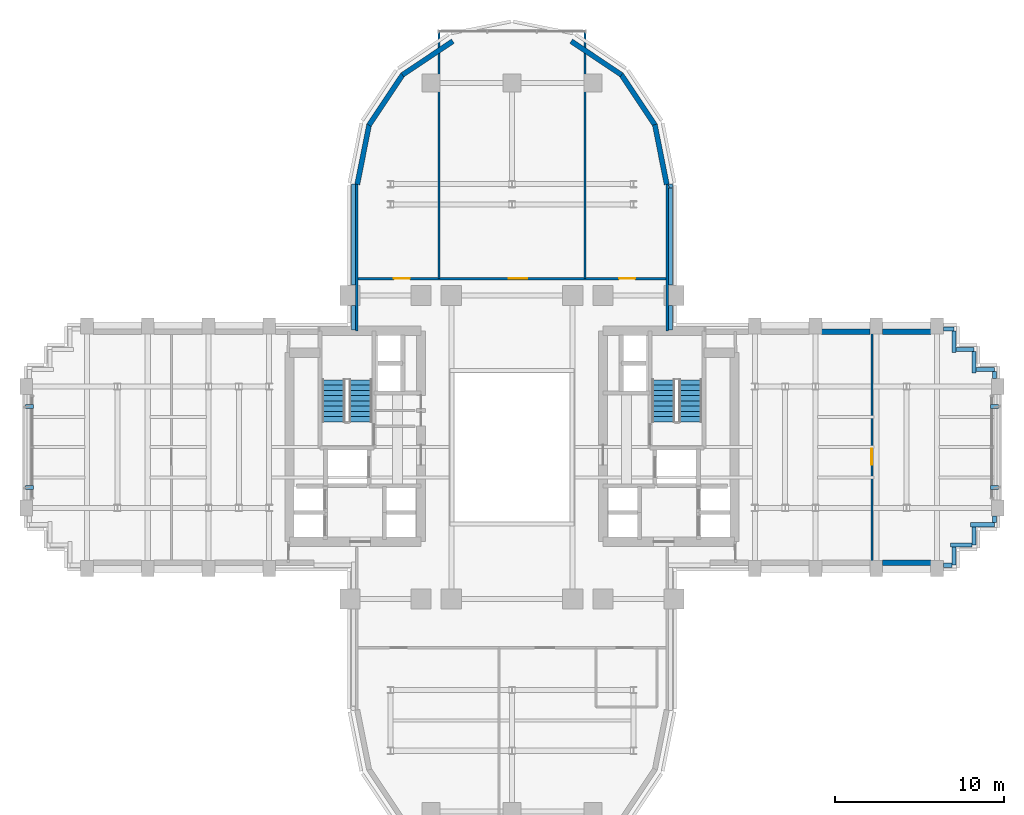
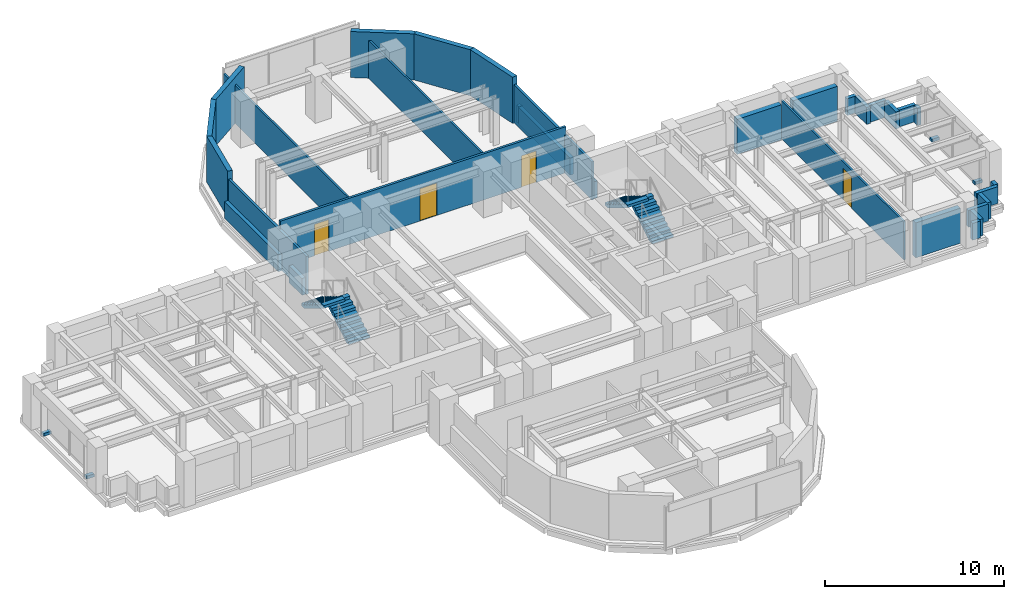
# One storey, part 12 of 16: 32 walls, 4 discrete accessories, 4 doors, 4 stair flights, 4 openings, 2 elements without a shape of their own.
"""IFC4 building model written with IfcOpenShell, lengths in metres."""

from ifc_helpers import new_model, si_unit, direction, frame, frame_2d, origin, origin_2d, place, context, subcontext, project, spatial, polyline, rectangle, outline, extrude, source, transform, mapped, material, layer, layer_set, type_object, element, fill, aggregate, save


model = new_model("IFC4")

# Units and contexts
model_context = context("Model", 3, precision=1e-05, world=origin(), true_north=direction((0.0, 1.0)))
body_context = subcontext(model_context, "Body", "Model", "MODEL_VIEW")
ifc_project = project(units=[si_unit("LENGTHUNIT", "METRE"), si_unit("AREAUNIT", "SQUARE_METRE"), si_unit("VOLUMEUNIT", "CUBIC_METRE"), si_unit("PLANEANGLEUNIT", "RADIAN"), si_unit("MASSUNIT", "GRAM", prefix="KILO")], contexts=[model_context])

# Site, building, storey
site_placement = place(None, origin())
site = spatial("IfcSite", under=ifc_project, at=site_placement, CompositionType="ELEMENT")
building_placement = place(site_placement, origin())
building = spatial("IfcBuilding", under=site, at=building_placement, Name="Keilestroom Media Tower", CompositionType="ELEMENT")
storey_placement = place(building_placement, frame((0.0, 0.0, 85.0)))
storey = spatial("IfcBuildingStorey", under=building, at=storey_placement, Name="L22", CompositionType="ELEMENT", Elevation=85.0)

# Walls
ifc_material_1 = material(Name="Precast concrete C40/50", Category="concrete")
ifc_layer_1 = layer(ifc_material_1, 0.300048828125)
ifc_layer_set_1 = layer_set([ifc_layer_1], Name="Precast concrete C40/50")
wall_type_1 = type_object("IfcWallType", Name="Exterior-Masonry-Spandrel-Wall-300", PredefinedType="SOLIDWALL", material=ifc_layer_set_1)
for number, where, z_axis, x_axis, name in (
    (1, (9.1748046875, 15.585205078125, 0.0), (0.0, 0.0, 1.0), (-0.195114232679, 0.980780523974, 0.0), "L22 Lobe Facet Precast Frame Wall 01"),
    (2, (8.48193359375, 19.097412109375, 0.0), (0.0, 0.0, 1.0), (-0.555574187116, 0.831466970246, 0.0), "L22 Lobe Facet Precast Frame Wall 02"),
):
    element("IfcWall", number, at=place(storey_placement, frame(where, z_axis=z_axis, x_axis=x_axis)), inside=storey, type_object=wall_type_1, Name=name, PredefinedType="SOLIDWALL", context=body_context, shape_type="SweptSolid", body=[
        extrude(rectangle(XDim=3.608642578125, YDim=0.300048828125, at=frame_2d((1.80419921875, 0.0))), origin(), (0.0, 0.0, 1.0), 3.139892578125),
    ])
for number, where, z_axis, x_axis, name in (
    (3, (6.497802734375, 22.0771484375, 0.0), (0.0, 0.0, 1.0), (-0.8314749531, 0.555562239868, 0.0), "L22 Lobe Facet Precast Frame Wall 03"),
    (4, (-3.510009765625, 24.073486328125, 0.0), (0.0, 0.0, 1.0), (-0.8314749531, -0.555562239868, 0.0), "L22 Lobe Facet Precast Frame Wall 04"),
):
    element("IfcWall", number, at=place(storey_placement, frame(where, z_axis=z_axis, x_axis=x_axis)), inside=storey, type_object=wall_type_1, Name=name, PredefinedType="SOLIDWALL", context=body_context, shape_type="SweptSolid", body=[
        extrude(rectangle(XDim=3.59326171875, YDim=0.300048828125, at=frame_2d((1.796630859375, 0.0))), origin(), (0.0, 0.0, 1.0), 3.139892578125),
    ])
for number, where, z_axis, x_axis, name in (
    (5, (-6.47705078125, 22.097900390625, 0.0), (0.0, 0.0, 1.0), (-0.555574187116, -0.831466970246, 0.0), "L22 Lobe Facet Precast Frame Wall 05"),
    (6, (-8.470703125, 19.12451171875, 0.0), (0.0, 0.0, 1.0), (-0.195114232679, -0.980780523974, 0.0), "L22 Lobe Facet Precast Frame Wall 06"),
):
    element("IfcWall", number, at=place(storey_placement, frame(where, z_axis=z_axis, x_axis=x_axis)), inside=storey, type_object=wall_type_1, Name=name, PredefinedType="SOLIDWALL", context=body_context, shape_type="SweptSolid", body=[
        extrude(rectangle(XDim=3.608642578125, YDim=0.300048828125, at=frame_2d((1.80419921875, 0.0))), origin(), (0.0, 0.0, 1.0), 3.139892578125),
    ])
ifc_layer_2 = layer(ifc_material_1, 0.340087890625)
ifc_layer_set_2 = layer_set([ifc_layer_2], Name="Precast concrete C40/50")
wall_type_2 = type_object("IfcWallType", Name="Exterior-Masonry-Spandrel-Wall-340", PredefinedType="SOLIDWALL", material=ifc_layer_set_2)
for number, where, z_axis, x_axis, name in (
    (7, (18.366943359375, 6.85009765625, 0.0), (0.0, 0.0, 1.0), (1.0, 0.0, 0.0), "L22 Flank Masonry Wall EWL-L22-NE-3"),
    (8, (21.967041015625, 6.85009765625, 0.0), (0.0, 0.0, 1.0), (1.0, 0.0, 0.0), "L22 Flank Masonry Wall EWL-L22-NE-4"),
    (9, (21.967041015625, -6.85009765625, 0.0), (0.0, 0.0, 1.0), (1.0, 0.0, 0.0), "L22 Flank Masonry Wall EWL-L22-SE-4"),
):
    element("IfcWall", number, at=place(storey_placement, frame(where, z_axis=z_axis, x_axis=x_axis)), inside=storey, type_object=wall_type_2, Name=name, PredefinedType="SOLIDWALL", context=body_context, shape_type="SweptSolid", body=[
        extrude(rectangle(XDim=2.865966796875, YDim=0.340087890625, at=frame_2d((1.43310546875, 0.0))), origin(), (0.0, 0.0, 1.0), 2.389892578125),
    ])
ifc_material_2 = material(Name="Gypsum Plasterboard & Steel Stud", Category="steel")
ifc_layer_3 = layer(ifc_material_2, 0.1201171875)
ifc_layer_set_3 = layer_set([ifc_layer_3], Name="Gypsum Plasterboard & Steel Stud")
wall_type_3 = type_object("IfcWallType", Name="Interior-Partition-Wall-120", PredefinedType="PARTITIONING", material=ifc_layer_set_3)
for number, where, z_axis, x_axis, name in (
    (10, (-4.320068359375, 10.0, 0.0), (0.0, 0.0, 1.0), (0.0, 1.0, 0.0), "L22 Interior Wall WP-L22-NL-VW"),
    (11, (4.320068359375, 10.0, 0.0), (0.0, 0.0, 1.0), (0.0, 1.0, 0.0), "L22 Interior Wall WP-L22-NL-VE"),
):
    element("IfcWall", number, at=place(storey_placement, frame(where, z_axis=z_axis, x_axis=x_axis)), inside=storey, type_object=wall_type_3, Name=name, PredefinedType="PARTITIONING", context=body_context, shape_type="SweptSolid", body=[
        extrude(rectangle(XDim=14.64990234375, YDim=0.1201171875, at=frame_2d((7.324951171875, 0.0))), origin(), (0.0, 0.0, 1.0), 2.590087890625),
    ])

# Wall, opening, door
wall_1_placement = place(storey_placement, frame((21.340087890625, -6.85009765625, 0.0), z_axis=(0.0, 0.0, 1.0), x_axis=(0.0, 1.0, 0.0)))
wall_1 = element("IfcWall", 12, at=wall_1_placement, inside=storey, type_object=wall_type_3, Name="L22 Interior Wall WP-L22-EA-V", PredefinedType="PARTITIONING", context=body_context, shape_type="SweptSolid", body=[
    extrude(rectangle(XDim=13.7001953125, YDim=0.1201171875, at=frame_2d((6.85009765625, 0.0))), origin(), (0.0, 0.0, 1.0), 2.590087890625),
])
opening_1_placement = place(wall_1_placement, frame((5.800048828125, 0.0, 0.0)))
opening_1 = element("IfcOpeningElement", 13, at=opening_1_placement, cuts=wall_1, Name="Opening DI-03", PredefinedType="OPENING", context=body_context, shape_type="SweptSolid", body=[
    extrude(rectangle(XDim=0.949951171875, YDim=2.14990234375, at=frame_2d((0.47509765625, 1.074951171875))), frame((0.0, 0.070068359375, 0.0), z_axis=(0.0, -1.0, 0.0), x_axis=(1.0, 0.0, 0.0)), (0.0, 0.0, 1.0), 0.14013671875),
])
ifc_material_3 = material(Name="Lacquered European Oak Leaf", Category="wood")
door_type_1 = type_object("IfcDoorType", Name="Interior-Room-And-Suite-Door-DI-03", OperationType="NOTDEFINED", PredefinedType="DOOR", material=ifc_material_3)
shared_shape_1 = source(origin(), body_context, "Body", "SweptSolid", [
    extrude(rectangle(XDim=0.949951171875, YDim=2.14990234375, at=frame_2d((0.47509765625, 1.074951171875))), frame((0.0, 0.02490234375, 0.0), z_axis=(0.0, -1.0, 0.0), x_axis=(1.0, 0.0, 0.0)), (0.0, 0.0, 1.0), 0.050048828125),
])
door_1_placement = place(opening_1_placement, origin())
door_1 = element("IfcDoor", 14, at=door_1_placement, inside=storey, type_object=door_type_1, Name="L22 Interior Door DI-L22-DEA-E", OperationType="SINGLE_SWING_LEFT", OverallHeight=2.14990234375, OverallWidth=0.949951171875, PredefinedType="DOOR", context=body_context, shape_type="MappedRepresentation", body=[
    mapped(shared_shape_1, transform((0.0, 0.0, 0.0), x_axis=(1.0, 0.0, 0.0), y_axis=(0.0, 1.0, 0.0), z_axis=(0.0, 0.0, 1.0), scale=1.0)),
])
fill(opening_1, door_1)

# Wall, openings, doors
ifc_layer_4 = layer(ifc_material_2, 0.14990234375)
ifc_layer_set_4 = layer_set([ifc_layer_4], Name="Gypsum Plasterboard & Steel Stud")
wall_type_4 = type_object("IfcWallType", Name="Interior-Partition-Wall-150", PredefinedType="PARTITIONING", material=ifc_layer_set_4)
wall_2_placement = place(storey_placement, frame((-9.199951171875, 10.0, 0.0), z_axis=(0.0, 0.0, 1.0), x_axis=(1.0, 0.0, 0.0)))
wall_2 = element("IfcWall", 15, at=wall_2_placement, inside=storey, type_object=wall_type_4, Name="L22 Interior Wall WP-L22-NL-BASE", PredefinedType="PARTITIONING", context=body_context, shape_type="SweptSolid", body=[
    extrude(rectangle(XDim=18.39990234375, YDim=0.14990234375, at=frame_2d((9.199951171875, 0.0))), origin(), (0.0, 0.0, 1.0), 3.139892578125),
])
opening_2_placement = place(wall_2_placement, frame((2.199951171875, 0.0, 0.0)))
opening_2 = element("IfcOpeningElement", 16, at=opening_2_placement, cuts=wall_2, Name="Opening DI-03", PredefinedType="OPENING", context=body_context, shape_type="SweptSolid", body=[
    extrude(rectangle(XDim=0.949951171875, YDim=2.14990234375, at=frame_2d((0.47509765625, 1.074951171875))), frame((0.0, 0.0849609375, 0.0), z_axis=(0.0, -1.0, 0.0), x_axis=(1.0, 0.0, 0.0)), (0.0, 0.0, 1.0), 0.169921875),
])
opening_3_placement = place(wall_2_placement, frame((9.0, 0.0, 0.0)))
opening_3 = element("IfcOpeningElement", 17, at=opening_3_placement, cuts=wall_2, Name="Opening DI-04", PredefinedType="OPENING", context=body_context, shape_type="SweptSolid", body=[
    extrude(rectangle(XDim=1.10009765625, YDim=2.199951171875, at=frame_2d((0.550048828125, 1.10009765625))), frame((0.0, 0.0849609375, 0.0), z_axis=(0.0, -1.0, 0.0), x_axis=(1.0, 0.0, 0.0)), (0.0, 0.0, 1.0), 0.169921875),
])
opening_4_placement = place(wall_2_placement, frame((15.550048828125, 0.0, 0.0)))
opening_4 = element("IfcOpeningElement", 18, at=opening_4_placement, cuts=wall_2, Name="Opening DI-03", PredefinedType="OPENING", context=body_context, shape_type="SweptSolid", body=[
    extrude(rectangle(XDim=0.949951171875, YDim=2.14990234375, at=frame_2d((0.47509765625, 1.074951171875))), frame((0.0, 0.0849609375, 0.0), z_axis=(0.0, -1.0, 0.0), x_axis=(1.0, 0.0, 0.0)), (0.0, 0.0, 1.0), 0.169921875),
])
door_2_placement = place(opening_2_placement, origin())
door_2 = element("IfcDoor", 19, at=door_2_placement, inside=storey, type_object=door_type_1, Name="L22 Interior Door DI-L22-DNL-W", OperationType="SINGLE_SWING_RIGHT", OverallHeight=2.14990234375, OverallWidth=0.949951171875, PredefinedType="DOOR", context=body_context, shape_type="MappedRepresentation", body=[
    mapped(shared_shape_1, transform((0.0, 0.0, 0.0), x_axis=(1.0, 0.0, 0.0), y_axis=(0.0, 1.0, 0.0), z_axis=(0.0, 0.0, 1.0), scale=1.0)),
])
fill(opening_2, door_2)
door_3_placement = place(opening_4_placement, origin())
door_3 = element("IfcDoor", 20, at=door_3_placement, inside=storey, type_object=door_type_1, Name="L22 Interior Door DI-L22-DNL-E", OperationType="SINGLE_SWING_RIGHT", OverallHeight=2.14990234375, OverallWidth=0.949951171875, PredefinedType="DOOR", context=body_context, shape_type="MappedRepresentation", body=[
    mapped(shared_shape_1, transform((0.0, 0.0, 0.0), x_axis=(1.0, 0.0, 0.0), y_axis=(0.0, 1.0, 0.0), z_axis=(0.0, 0.0, 1.0), scale=1.0)),
])
fill(opening_4, door_3)
ifc_material_4 = material(Name="Acoustic Glazed Aluminium Leaf", Category="aluminium")
door_type_2 = type_object("IfcDoorType", Name="Interior-Room-And-Suite-Door-DI-04", OperationType="NOTDEFINED", PredefinedType="DOOR", material=ifc_material_4)
shared_shape_2 = source(origin(), body_context, "Body", "SweptSolid", [
    extrude(rectangle(XDim=1.10009765625, YDim=2.199951171875, at=frame_2d((0.550048828125, 1.10009765625))), frame((0.0, 0.02490234375, 0.0), z_axis=(0.0, -1.0, 0.0), x_axis=(1.0, 0.0, 0.0)), (0.0, 0.0, 1.0), 0.050048828125),
])
door_4_placement = place(opening_3_placement, origin())
door_4 = element("IfcDoor", 21, at=door_4_placement, inside=storey, type_object=door_type_2, Name="L22 Interior Door DI-L22-DNL-C", OperationType="SINGLE_SWING_LEFT", OverallHeight=2.199951171875, OverallWidth=1.10009765625, PredefinedType="DOOR", context=body_context, shape_type="MappedRepresentation", body=[
    mapped(shared_shape_2, transform((0.0, 0.0, 0.0), x_axis=(1.0, 0.0, 0.0), y_axis=(0.0, 1.0, 0.0), z_axis=(0.0, 0.0, 1.0), scale=1.0)),
])
fill(opening_3, door_4)

# Walls
for number, where, z_axis, x_axis, name in (
    (22, (-9.199951171875, 6.89990234375, 0.0), (0.0, 0.0, 1.0), (0.0, 1.0, 0.0), "L22 Interior Wall WP-L22-NL-CHKW"),
    (23, (9.199951171875, 6.89990234375, 0.0), (0.0, 0.0, 1.0), (0.0, 1.0, 0.0), "L22 Interior Wall WP-L22-NL-CHKE"),
):
    element("IfcWall", number, at=place(storey_placement, frame(where, z_axis=z_axis, x_axis=x_axis)), inside=storey, type_object=wall_type_4, Name=name, PredefinedType="PARTITIONING", context=body_context, shape_type="SweptSolid", body=[
        extrude(rectangle(XDim=8.780029296875, YDim=0.14990234375, at=frame_2d((4.39013671875, 0.0))), origin(), (0.0, 0.0, 1.0), 2.590087890625),
    ])
ifc_layer_5 = layer(ifc_material_1, 0.239990234375)
ifc_layer_set_5 = layer_set([ifc_layer_5], Name="Precast concrete C40/50")
wall_type_5 = type_object("IfcWallType", Name="Roof-And-Terrace-Parapet-Wall-240", PredefinedType="PARAPET", material=ifc_layer_set_5)
wall_3_placement = place(storey_placement, frame((28.60009765625, -4.60009765625, 0.0), z_axis=(0.0, 0.0, 1.0), x_axis=(-1.0, 0.0, 0.0)))
element("IfcWall", 24, at=wall_3_placement, inside=storey, type_object=wall_type_5, Name="L22 Perimeter Edge Parapet Wall 01", PredefinedType="PARAPET", context=body_context, shape_type="SweptSolid", body=[
    extrude(rectangle(XDim=1.400146484375, YDim=0.239990234375, at=frame_2d((0.7001953125, 0.0))), origin(), (0.0, 0.0, 1.0), 1.14990234375),
])
wall_4_placement = place(storey_placement, frame((27.39990234375, -4.722900390625, 0.0), z_axis=(0.0, 0.0, 1.0), x_axis=(0.0, -1.0, 0.0)))
element("IfcWall", 25, at=wall_4_placement, inside=storey, type_object=wall_type_5, Name="L22 Perimeter Edge Parapet Wall 02", PredefinedType="PARAPET", context=body_context, shape_type="SweptSolid", body=[
    extrude(rectangle(XDim=1.0771484375, YDim=0.239990234375, at=frame_2d((0.53857421875, 0.0))), origin(), (0.0, 0.0, 1.0), 1.14990234375),
])
wall_5_placement = place(storey_placement, frame((27.277099609375, -5.800048828125, 0.0), z_axis=(0.0, 0.0, 1.0), x_axis=(-1.0, 0.0, 0.0)))
element("IfcWall", 26, at=wall_5_placement, inside=storey, type_object=wall_type_5, Name="L22 Perimeter Edge Parapet Wall 03", PredefinedType="PARAPET", context=body_context, shape_type="SweptSolid", body=[
    extrude(rectangle(XDim=1.277099609375, YDim=0.239990234375, at=frame_2d((0.638671875, 0.0))), origin(), (0.0, 0.0, 1.0), 1.14990234375),
])
wall_6_placement = place(storey_placement, frame((26.199951171875, -5.923095703125, 0.0), z_axis=(0.0, 0.0, 1.0), x_axis=(0.0, -1.0, 0.0)))
element("IfcWall", 27, at=wall_6_placement, inside=storey, type_object=wall_type_5, Name="L22 Perimeter Edge Parapet Wall 04", PredefinedType="PARAPET", context=body_context, shape_type="SweptSolid", body=[
    extrude(rectangle(XDim=1.076904296875, YDim=0.239990234375, at=frame_2d((0.53857421875, 0.0))), origin(), (0.0, 0.0, 1.0), 1.14990234375),
])
wall_7_placement = place(storey_placement, frame((26.076904296875, -7.0, 0.0), z_axis=(0.0, 0.0, 1.0), x_axis=(-1.0, 0.0, 0.0)))
element("IfcWall", 28, at=wall_7_placement, inside=storey, type_object=wall_type_5, Name="L22 Perimeter Edge Parapet Wall 05", PredefinedType="PARAPET", context=body_context, shape_type="SweptSolid", body=[
    extrude(rectangle(XDim=0.4990234375, YDim=0.239990234375, at=frame_2d((0.24951171875, 0.0))), origin(), (0.0, 0.0, 1.0), 1.14990234375),
])
wall_8_placement = place(storey_placement, frame((-9.39990234375, 6.952880859375, 0.0), z_axis=(0.0, 0.0, 1.0), x_axis=(0.0, 1.0, 0.0)))
element("IfcWall", 29, at=wall_8_placement, inside=storey, type_object=wall_type_5, Name="L22 Perimeter Edge Parapet Wall 26", PredefinedType="PARAPET", context=body_context, shape_type="SweptSolid", body=[
    extrude(rectangle(XDim=1.444091796875, YDim=0.239990234375, at=frame_2d((0.72216796875, 0.0))), origin(), (0.0, 0.0, 1.0), 1.14990234375),
])
wall_9_placement = place(storey_placement, frame((-9.39990234375, 9.60302734375, 0.0), z_axis=(0.0, 0.0, 1.0), x_axis=(0.0, 1.0, 0.0)))
element("IfcWall", 30, at=wall_9_placement, inside=storey, type_object=wall_type_5, Name="L22 Perimeter Edge Parapet Wall 27", PredefinedType="PARAPET", context=body_context, shape_type="SweptSolid", body=[
    extrude(rectangle(XDim=5.999755859375, YDim=0.239990234375, at=frame_2d((3.0, 0.0))), origin(), (0.0, 0.0, 1.0), 1.14990234375),
])
wall_10_placement = place(storey_placement, frame((9.395263671875, 15.604248046875, 0.0), z_axis=(0.0, 0.0, 1.0), x_axis=(0.194652052864, -0.980872355771, 0.0)))
element("IfcWall", 31, at=wall_10_placement, inside=storey, type_object=wall_type_5, Name="L22 Perimeter Edge Parapet Wall 28", PredefinedType="PARAPET", context=body_context, shape_type="SweptSolid", body=[
    extrude(rectangle(XDim=0.224609375, YDim=0.239990234375, at=frame_2d((0.1123046875, 0.0))), origin(), (0.0, 0.0, 1.0), 1.14990234375),
])
wall_11_placement = place(storey_placement, frame((9.39990234375, 15.357666015625, 0.0), z_axis=(0.0, 0.0, 1.0), x_axis=(0.0, -1.0, 0.0)))
element("IfcWall", 32, at=wall_11_placement, inside=storey, type_object=wall_type_5, Name="L22 Perimeter Edge Parapet Wall 29", PredefinedType="PARAPET", context=body_context, shape_type="SweptSolid", body=[
    extrude(rectangle(XDim=5.754638671875, YDim=0.239990234375, at=frame_2d((2.87744140625, 0.0))), origin(), (0.0, 0.0, 1.0), 1.14990234375),
])
wall_12_placement = place(storey_placement, frame((9.39990234375, 8.39697265625, 0.0), z_axis=(0.0, 0.0, 1.0), x_axis=(0.0, -1.0, 0.0)))
element("IfcWall", 33, at=wall_12_placement, inside=storey, type_object=wall_type_5, Name="L22 Perimeter Edge Parapet Wall 30", PredefinedType="PARAPET", context=body_context, shape_type="SweptSolid", body=[
    extrude(rectangle(XDim=1.444091796875, YDim=0.239990234375, at=frame_2d((0.72216796875, 0.0))), origin(), (0.0, 0.0, 1.0), 1.14990234375),
])
wall_13_placement = place(storey_placement, frame((25.577880859375, 7.0, 0.0), z_axis=(0.0, 0.0, 1.0), x_axis=(1.0, 0.0, 0.0)))
element("IfcWall", 34, at=wall_13_placement, inside=storey, type_object=wall_type_5, Name="L22 Perimeter Edge Parapet Wall 32", PredefinedType="PARAPET", context=body_context, shape_type="SweptSolid", body=[
    extrude(rectangle(XDim=0.6220703125, YDim=0.239990234375, at=frame_2d((0.31103515625, 0.0))), origin(), (0.0, 0.0, 1.0), 1.14990234375),
])
wall_14_placement = place(storey_placement, frame((26.199951171875, 6.876953125, 0.0), z_axis=(0.0, 0.0, 1.0), x_axis=(0.0, -1.0, 0.0)))
element("IfcWall", 35, at=wall_14_placement, inside=storey, type_object=wall_type_5, Name="L22 Perimeter Edge Parapet Wall 33", PredefinedType="PARAPET", context=body_context, shape_type="SweptSolid", body=[
    extrude(rectangle(XDim=1.27685546875, YDim=0.239990234375, at=frame_2d((0.638427734375, 0.0))), origin(), (0.0, 0.0, 1.0), 1.14990234375),
])
wall_15_placement = place(storey_placement, frame((26.322998046875, 5.800048828125, 0.0), z_axis=(0.0, 0.0, 1.0), x_axis=(1.0, 0.0, 0.0)))
element("IfcWall", 36, at=wall_15_placement, inside=storey, type_object=wall_type_5, Name="L22 Perimeter Edge Parapet Wall 34", PredefinedType="PARAPET", context=body_context, shape_type="SweptSolid", body=[
    extrude(rectangle(XDim=1.076904296875, YDim=0.239990234375, at=frame_2d((0.53857421875, 0.0))), origin(), (0.0, 0.0, 1.0), 1.14990234375),
])
wall_16_placement = place(storey_placement, frame((27.39990234375, 5.677001953125, 0.0), z_axis=(0.0, 0.0, 1.0), x_axis=(0.0, -1.0, 0.0)))
element("IfcWall", 37, at=wall_16_placement, inside=storey, type_object=wall_type_5, Name="L22 Perimeter Edge Parapet Wall 35", PredefinedType="PARAPET", context=body_context, shape_type="SweptSolid", body=[
    extrude(rectangle(XDim=1.277099609375, YDim=0.239990234375, at=frame_2d((0.638671875, 0.0))), origin(), (0.0, 0.0, 1.0), 1.14990234375),
])
wall_17_placement = place(storey_placement, frame((27.52294921875, 4.60009765625, 0.0), z_axis=(0.0, 0.0, 1.0), x_axis=(1.0, 0.0, 0.0)))
element("IfcWall", 38, at=wall_17_placement, inside=storey, type_object=wall_type_5, Name="L22 Perimeter Edge Parapet Wall 36", PredefinedType="PARAPET", context=body_context, shape_type="SweptSolid", body=[
    extrude(rectangle(XDim=1.0771484375, YDim=0.239990234375, at=frame_2d((0.53857421875, 0.0))), origin(), (0.0, 0.0, 1.0), 1.14990234375),
])
for number, where, z_axis, x_axis, name in (
    (39, (28.60009765625, 4.47705078125, 0.0), (0.0, 0.0, 1.0), (0.0, -1.0, 0.0), "L22 Perimeter Edge Parapet Wall 37"),
    (40, (28.60009765625, -4.077880859375, 0.0), (0.0, 0.0, 1.0), (0.0, -1.0, 0.0), "L22 Perimeter Edge Parapet Wall 38"),
):
    element("IfcWall", number, at=place(storey_placement, frame(where, z_axis=z_axis, x_axis=x_axis)), inside=storey, type_object=wall_type_5, Name=name, PredefinedType="PARAPET", context=body_context, shape_type="SweptSolid", body=[
        extrude(rectangle(XDim=0.399169921875, YDim=0.239990234375, at=frame_2d((0.19970703125, 0.0))), origin(), (0.0, 0.0, 1.0), 1.14990234375),
    ])

# Stair, stair flights
ifc_material_5 = material(Name="Concrete C45/55", Category="concrete")
stair_type = type_object("IfcStairType", Name="Enclosed-Dog-Leg-Stair-ST-CORE", PredefinedType="HALF_TURN_STAIR", material=ifc_material_5)
stair_1_placement = place(storey_placement, origin())
stair_1 = element("IfcStair", 41, at=stair_1_placement, inside=storey, type_object=stair_type, Name="L22 West Core Escape Stair ST-1", PredefinedType="HALF_TURN_STAIR")
stair_flight_type = type_object("IfcStairFlightType", Name="Precast-Concrete-Stair-Flight-Core-160", PredefinedType="STRAIGHT", material=ifc_material_1)
stair_flight_1_placement = place(storey_placement, frame((-8.97998046875, 1.5, 0.0), z_axis=(0.0, 0.0, 1.0), x_axis=(0.0, 1.0, 0.0)))
stair_flight_1 = element("IfcStairFlight", 42, at=stair_flight_1_placement, type_object=stair_flight_type, Name="ST-1 flight 1", NumberOfRisers=9, NumberOfTreads=8, PredefinedType="STRAIGHT", RiserHeight=0.188888889, TreadLength=0.312, context=body_context, shape_type="SweptSolid", body=[
    extrude(outline(polyline([(0.0, 0.0), (0.0, 0.18896484375), (0.31201171875, 0.18896484375), (0.31201171875, 0.377685546875), (0.6240234375, 0.377685546875), (0.6240234375, 0.566650390625), (0.93603515625, 0.566650390625), (0.93603515625, 0.755615234375), (1.248046875, 0.755615234375), (1.248046875, 0.9443359375), (1.56005859375, 0.9443359375), (1.56005859375, 1.13330078125), (1.8720703125, 1.13330078125), (1.8720703125, 1.322265625), (2.18408203125, 1.322265625), (2.18408203125, 1.51123046875), (2.49609375, 1.51123046875), (2.49609375, 1.699951171875), (2.49609375, 1.32421875), (0.308837890625, 0.0), (0.0, 0.0)])), frame((0.0, 0.68017578125, 0.0), z_axis=(0.0, -1.0, 0.0), x_axis=(1.0, 0.0, 0.0)), (0.0, 0.0, 1.0), 1.360107421875),
])
stair_flight_2_placement = place(storey_placement, frame((-10.580078125, 3.99609375, 1.699951171875), z_axis=(0.0, 0.0, 1.0), x_axis=(0.0, -1.0, 0.0)))
stair_flight_2 = element("IfcStairFlight", 43, at=stair_flight_2_placement, type_object=stair_flight_type, Name="ST-1 flight 2", NumberOfRisers=9, NumberOfTreads=8, PredefinedType="STRAIGHT", RiserHeight=0.188888889, TreadLength=0.312, context=body_context, shape_type="SweptSolid", body=[
    extrude(outline(polyline([(0.0, 0.0), (0.0, 0.18896484375), (0.31201171875, 0.18896484375), (0.31201171875, 0.377685546875), (0.6240234375, 0.377685546875), (0.6240234375, 0.566650390625), (0.93603515625, 0.566650390625), (0.93603515625, 0.755615234375), (1.248046875, 0.755615234375), (1.248046875, 0.9443359375), (1.56005859375, 0.9443359375), (1.56005859375, 1.13330078125), (1.8720703125, 1.13330078125), (1.8720703125, 1.322265625), (2.18408203125, 1.322265625), (2.18408203125, 1.51123046875), (2.49609375, 1.51123046875), (2.49609375, 1.699951171875), (2.49609375, 1.32421875), (0.308837890625, 0.0), (0.0, 0.0)])), frame((0.0, 0.68017578125, 0.0), z_axis=(0.0, -1.0, 0.0), x_axis=(1.0, 0.0, 0.0)), (0.0, 0.0, 1.0), 1.360107421875),
])
aggregate(stair_1, [stair_flight_1, stair_flight_2])

stair_2_placement = place(storey_placement, origin())
stair_2 = element("IfcStair", 44, at=stair_2_placement, inside=storey, type_object=stair_type, Name="L22 East Core Escape Stair ST-2", PredefinedType="HALF_TURN_STAIR")
stair_flight_3_placement = place(storey_placement, frame((10.580078125, 1.5, 0.0), z_axis=(0.0, 0.0, 1.0), x_axis=(0.0, 1.0, 0.0)))
stair_flight_3 = element("IfcStairFlight", 45, at=stair_flight_3_placement, type_object=stair_flight_type, Name="ST-2 flight 1", NumberOfRisers=9, NumberOfTreads=8, PredefinedType="STRAIGHT", RiserHeight=0.188888889, TreadLength=0.312, context=body_context, shape_type="SweptSolid", body=[
    extrude(outline(polyline([(0.0, 0.0), (0.0, 0.18896484375), (0.31201171875, 0.18896484375), (0.31201171875, 0.377685546875), (0.6240234375, 0.377685546875), (0.6240234375, 0.566650390625), (0.93603515625, 0.566650390625), (0.93603515625, 0.755615234375), (1.248046875, 0.755615234375), (1.248046875, 0.9443359375), (1.56005859375, 0.9443359375), (1.56005859375, 1.13330078125), (1.8720703125, 1.13330078125), (1.8720703125, 1.322265625), (2.18408203125, 1.322265625), (2.18408203125, 1.51123046875), (2.49609375, 1.51123046875), (2.49609375, 1.699951171875), (2.49609375, 1.32421875), (0.308837890625, 0.0), (0.0, 0.0)])), frame((0.0, 0.68017578125, 0.0), z_axis=(0.0, -1.0, 0.0), x_axis=(1.0, 0.0, 0.0)), (0.0, 0.0, 1.0), 1.360107421875),
])
stair_flight_4_placement = place(storey_placement, frame((8.97998046875, 3.99609375, 1.699951171875), z_axis=(0.0, 0.0, 1.0), x_axis=(0.0, -1.0, 0.0)))
stair_flight_4 = element("IfcStairFlight", 46, at=stair_flight_4_placement, type_object=stair_flight_type, Name="ST-2 flight 2", NumberOfRisers=9, NumberOfTreads=8, PredefinedType="STRAIGHT", RiserHeight=0.188888889, TreadLength=0.312, context=body_context, shape_type="SweptSolid", body=[
    extrude(outline(polyline([(0.0, 0.0), (0.0, 0.18896484375), (0.31201171875, 0.18896484375), (0.31201171875, 0.377685546875), (0.6240234375, 0.377685546875), (0.6240234375, 0.566650390625), (0.93603515625, 0.566650390625), (0.93603515625, 0.755615234375), (1.248046875, 0.755615234375), (1.248046875, 0.9443359375), (1.56005859375, 0.9443359375), (1.56005859375, 1.13330078125), (1.8720703125, 1.13330078125), (1.8720703125, 1.322265625), (2.18408203125, 1.322265625), (2.18408203125, 1.51123046875), (2.49609375, 1.51123046875), (2.49609375, 1.699951171875), (2.49609375, 1.32421875), (0.308837890625, 0.0), (0.0, 0.0)])), frame((0.0, 0.68017578125, 0.0), z_axis=(0.0, -1.0, 0.0), x_axis=(1.0, 0.0, 0.0)), (0.0, 0.0, 1.0), 1.360107421875),
])
aggregate(stair_2, [stair_flight_3, stair_flight_4])

# Discrete accessories
ifc_material_6 = material(Name="Stainless Steel 1.4401", Category="steel")
discrete_accessory_type = type_object("IfcDiscreteAccessoryType", Name="Facade-Fin-Fixing-Bracket-BRK-1", PredefinedType="BRACKET", material=ifc_material_6)
shared_shape_3 = source(origin(), body_context, "Body", "SweptSolid", [
    extrude(rectangle(XDim=0.47998046875, YDim=0.239990234375, at=origin_2d()), origin(), (0.0, 0.0, 1.0), 0.199951171875),
])
for number, where, z_axis, x_axis, name in (
    (47, (-28.610107421875, -2.39990234375, -0.009765625), (0.0, 0.0, 1.0), (1.0, 0.0, 0.0), "L22 Sunshade Fin Bracket BRK-1 029"),
    (48, (-28.610107421875, 2.39990234375, -0.009765625), (0.0, 0.0, 1.0), (1.0, 0.0, 0.0), "L22 Sunshade Fin Bracket BRK-1 030"),
    (49, (28.610107421875, -2.39990234375, -0.009765625), (0.0, 0.0, 1.0), (1.0, 0.0, 0.0), "L22 Sunshade Fin Bracket BRK-1 031"),
    (50, (28.610107421875, 2.39990234375, -0.009765625), (0.0, 0.0, 1.0), (1.0, 0.0, 0.0), "L22 Sunshade Fin Bracket BRK-1 032"),
):
    element("IfcDiscreteAccessory", number, at=place(storey_placement, frame(where, z_axis=z_axis, x_axis=x_axis)), inside=storey, type_object=discrete_accessory_type, Name=name, PredefinedType="BRACKET", context=body_context, shape_type="MappedRepresentation", body=[
        mapped(shared_shape_3, transform((0.0, 0.0, 0.0), x_axis=(1.0, 0.0, 0.0), y_axis=(0.0, 1.0, 0.0), z_axis=(0.0, 0.0, 1.0), scale=1.0)),
    ])

save(model, "model.ifc")
